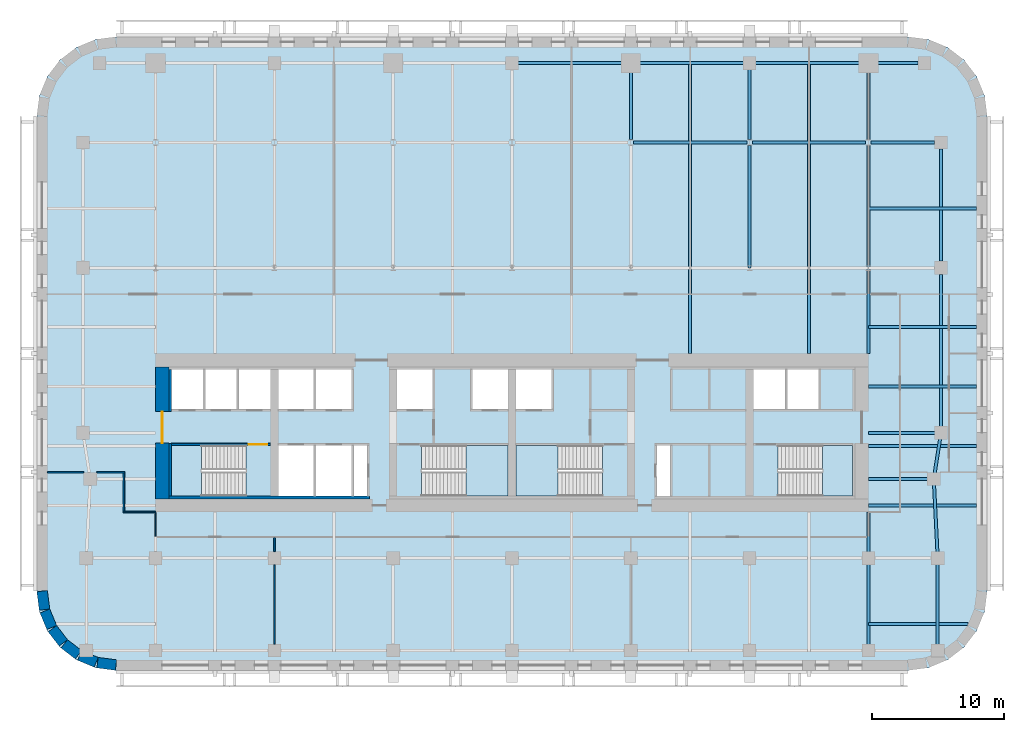
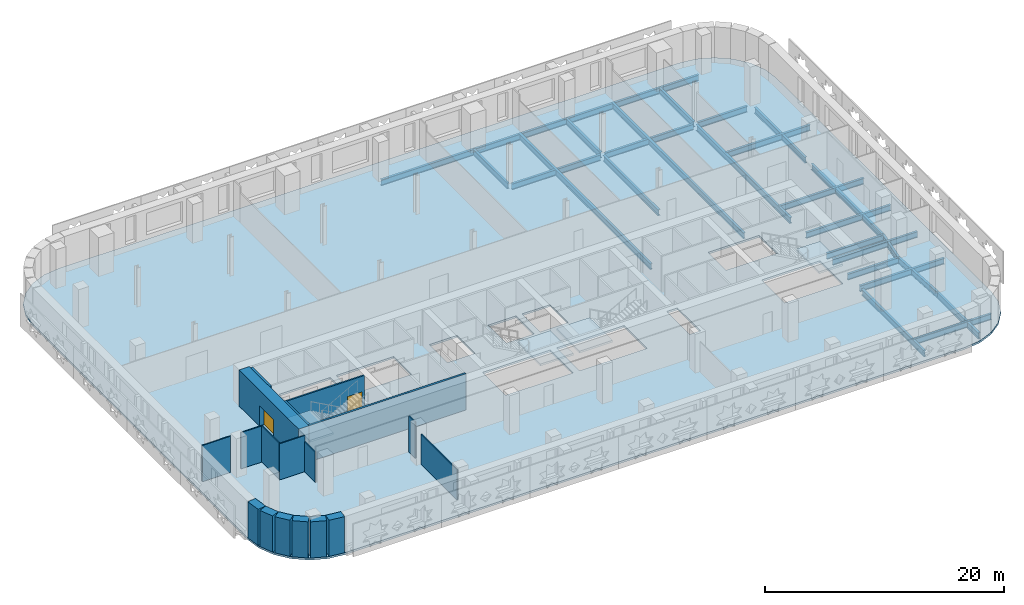
# One storey, part 2 of 10: 26 beams, 18 walls, 5 slabs, 2 doors, 2 openings, 4 elements without a shape of their own.
"""IFC4 building model written with IfcOpenShell, lengths in metres."""

from ifc_helpers import new_model, si_unit, direction, frame, frame_2d, origin, origin_2d, place, context, subcontext, project, spatial, polyline, rectangle, i_section, outline, extrude, material, layer, layer_set, material_profile, profile_set, type_object, element, fill, aggregate, save


model = new_model("IFC4")

# Units and contexts
model_context = context("Model", 3, precision=1e-05, world=origin(), true_north=direction((0.0, 1.0)))
body_context = subcontext(model_context, "Body", "Model", "MODEL_VIEW")
ifc_project = project(units=[si_unit("LENGTHUNIT", "METRE"), si_unit("AREAUNIT", "SQUARE_METRE"), si_unit("VOLUMEUNIT", "CUBIC_METRE"), si_unit("PLANEANGLEUNIT", "RADIAN"), si_unit("MASSUNIT", "GRAM", prefix="KILO")], contexts=[model_context])

# Site, building, storey
site_placement = place(None, origin())
site = spatial("IfcSite", under=ifc_project, at=site_placement, CompositionType="ELEMENT")
building_placement = place(site_placement, origin())
building = spatial("IfcBuilding", under=site, at=building_placement, Name="Zellij Exchange Tower", CompositionType="ELEMENT")
storey_placement = place(building_placement, frame((0.0, 0.0, 152.5)))
storey = spatial("IfcBuildingStorey", under=building, at=storey_placement, Name="L34", CompositionType="ELEMENT", Elevation=152.5)

# Beams
ifc_material_1 = material(Name="Structural steel ASTM A992 Gr 50", Category="steel")
ifc_material_profile_1 = material_profile(ifc_material_1, i_section(OverallWidth=0.227783203125, OverallDepth=0.60205078125, WebThickness=0.010498046875, FlangeThickness=0.014892578125, at=origin_2d()), Name="W24x68")
ifc_profile_set_1 = profile_set([ifc_material_profile_1], Name="Structural steel ASTM A992 Gr 50")
beam_type_1 = type_object("IfcBeamType", Name="STR-BEAM W24x68", PredefinedType="BEAM", material=ifc_profile_set_1)
for number, where, z_axis, x_axis, name in (
    (1, (13.5, -2.0, -0.5009765625), (0.0, 1.0, 0.0), (-1.0, 0.0, 0.0), "B5"),
    (2, (22.5, -2.0, -0.5009765625), (0.0, 1.0, 0.0), (-1.0, 0.0, 0.0), "B5"),
):
    element("IfcBeam", number, at=place(storey_placement, frame(where, z_axis=z_axis, x_axis=x_axis)), inside=storey, type_object=beam_type_1, Name=name, PredefinedType="BEAM", context=body_context, shape_type="SweptSolid", body=[
        extrude(i_section(OverallWidth=0.227783203125, OverallDepth=0.60205078125, WebThickness=0.010498046875, FlangeThickness=0.014892578125, at=origin_2d()), origin(), (0.0, 0.0, 1.0), 22.114501953125),
    ])
beam_1_placement = place(storey_placement, frame((27.0, -22.5, -0.5009765625), z_axis=(1.0, 0.0, 0.0), x_axis=(0.0, 1.0, 0.0)))
element("IfcBeam", 3, at=beam_1_placement, inside=storey, type_object=beam_type_1, Name="B5", PredefinedType="BEAM", context=body_context, shape_type="SweptSolid", body=[
    extrude(i_section(OverallWidth=0.227783203125, OverallDepth=0.60205078125, WebThickness=0.010498046875, FlangeThickness=0.014892578125, at=origin_2d()), origin(), (0.0, 0.0, 1.0), 7.537109375),
])
for number, where, z_axis, x_axis, name in (
    (4, (27.0, -13.5, -0.5009765625), (1.0, 0.0, 0.0), (0.0, 1.0, 0.0), "B5"),
    (5, (27.0, -9.0, -0.5009765625), (1.0, 0.0, 0.0), (0.0, 1.0, 0.0), "B5"),
    (6, (27.0, -4.5, -0.5009765625), (1.0, 0.0, 0.0), (0.0, 1.0, 0.0), "B5"),
    (7, (27.0, 0.0, -0.5009765625), (1.0, 0.0, 0.0), (0.0, 1.0, 0.0), "B5"),
    (8, (27.0, 9.0, -0.5009765625), (1.0, 0.0, 0.0), (0.0, 1.0, 0.0), "B5"),
):
    element("IfcBeam", number, at=place(storey_placement, frame(where, z_axis=z_axis, x_axis=x_axis)), inside=storey, type_object=beam_type_1, Name=name, PredefinedType="BEAM", context=body_context, shape_type="SweptSolid", body=[
        extrude(i_section(OverallWidth=0.227783203125, OverallDepth=0.60205078125, WebThickness=0.010498046875, FlangeThickness=0.014892578125, at=origin_2d()), origin(), (0.0, 0.0, 1.0), 8.199951171875),
    ])
ifc_material_profile_2 = material_profile(ifc_material_1, i_section(OverallWidth=0.22900390625, OverallDepth=0.612060546875, WebThickness=0.011962890625, FlangeThickness=0.01953125, at=origin_2d()), Name="W24x84")
ifc_profile_set_2 = profile_set([ifc_material_profile_2], Name="Structural steel ASTM A992 Gr 50")
beam_type_2 = type_object("IfcBeamType", Name="STR-EDGE GIRDER W24x84", PredefinedType="BEAM", material=ifc_profile_set_2)
beam_2_placement = place(storey_placement, frame((32.25, -24.5, -0.506103515625), z_axis=(0.0, 1.0, 0.0), x_axis=(-1.0, 0.0, 0.0)))
element("IfcBeam", 9, at=beam_2_placement, inside=storey, type_object=beam_type_2, Name="EB6", PredefinedType="BEAM", context=body_context, shape_type="SweptSolid", body=[
    extrude(i_section(OverallWidth=0.22900390625, OverallDepth=0.612060546875, WebThickness=0.011962890625, FlangeThickness=0.01953125, at=origin_2d()), origin(), (0.0, 0.0, 1.0), 7.0),
])
beam_3_placement = place(storey_placement, frame((32.25, -17.5, -0.506103515625), z_axis=(-0.049945724537, 0.998751933465, 0.0), x_axis=(-0.998751933465, -0.049945724537, 0.0)))
element("IfcBeam", 10, at=beam_3_placement, inside=storey, type_object=beam_type_2, Name="EB6", PredefinedType="BEAM", context=body_context, shape_type="SweptSolid", body=[
    extrude(i_section(OverallWidth=0.22900390625, OverallDepth=0.612060546875, WebThickness=0.011962890625, FlangeThickness=0.01953125, at=origin_2d()), origin(), (0.0, 0.0, 1.0), 6.007568359375),
])
beam_4_placement = place(storey_placement, frame((31.949951171875, -11.5, -0.506103515625), z_axis=(0.155251283593, 0.987875011802, 0.0), x_axis=(-0.987875011802, 0.155251283593, 0.0)))
element("IfcBeam", 11, at=beam_4_placement, inside=storey, type_object=beam_type_2, Name="EB6", PredefinedType="BEAM", context=body_context, shape_type="SweptSolid", body=[
    extrude(i_section(OverallWidth=0.22900390625, OverallDepth=0.612060546875, WebThickness=0.011962890625, FlangeThickness=0.01953125, at=origin_2d()), origin(), (0.0, 0.0, 1.0), 3.54296875),
])
beam_5_placement = place(storey_placement, frame((32.5, -8.0, -0.506103515625), z_axis=(0.0, 1.0, 0.0), x_axis=(-1.0, 0.0, 0.0)))
element("IfcBeam", 12, at=beam_5_placement, inside=storey, type_object=beam_type_2, Name="EB6", PredefinedType="BEAM", context=body_context, shape_type="SweptSolid", body=[
    extrude(i_section(OverallWidth=0.22900390625, OverallDepth=0.612060546875, WebThickness=0.011962890625, FlangeThickness=0.01953125, at=origin_2d()), origin(), (0.0, 0.0, 1.0), 12.0),
])
beam_6_placement = place(storey_placement, frame((32.5, 5.0, -0.506103515625), z_axis=(0.0, 1.0, 0.0), x_axis=(-1.0, 0.0, 0.0)))
element("IfcBeam", 13, at=beam_6_placement, inside=storey, type_object=beam_type_2, Name="EB6", PredefinedType="BEAM", context=body_context, shape_type="SweptSolid", body=[
    extrude(i_section(OverallWidth=0.22900390625, OverallDepth=0.612060546875, WebThickness=0.011962890625, FlangeThickness=0.01953125, at=origin_2d()), origin(), (0.0, 0.0, 1.0), 8.5),
])
ifc_material_profile_3 = material_profile(ifc_material_1, i_section(OverallWidth=0.22900390625, OverallDepth=0.612060546875, WebThickness=0.011962890625, FlangeThickness=0.01953125, at=origin_2d()), Name="W24x84")
ifc_profile_set_3 = profile_set([ifc_material_profile_3], Name="Structural steel ASTM A992 Gr 50")
beam_type_3 = type_object("IfcBeamType", Name="STR-GIRDER W24x84", PredefinedType="BEAM", material=ifc_profile_set_3)
beam_7_placement = place(storey_placement, frame((27.0, -11.5, -0.506103515625), z_axis=(1.0, 0.0, 0.0), x_axis=(0.0, 1.0, 0.0)))
element("IfcBeam", 14, at=beam_7_placement, inside=storey, type_object=beam_type_3, Name="G4", PredefinedType="BEAM", context=body_context, shape_type="SweptSolid", body=[
    extrude(i_section(OverallWidth=0.22900390625, OverallDepth=0.612060546875, WebThickness=0.011962890625, FlangeThickness=0.01953125, at=origin_2d()), origin(), (0.0, 0.0, 1.0), 4.949951171875),
])
beam_8_placement = place(storey_placement, frame((27.0, -8.0, -0.506103515625), z_axis=(1.0, 0.0, 0.0), x_axis=(0.0, 1.0, 0.0)))
element("IfcBeam", 15, at=beam_8_placement, inside=storey, type_object=beam_type_3, Name="G4", PredefinedType="BEAM", context=body_context, shape_type="SweptSolid", body=[
    extrude(i_section(OverallWidth=0.22900390625, OverallDepth=0.612060546875, WebThickness=0.011962890625, FlangeThickness=0.01953125, at=origin_2d()), origin(), (0.0, 0.0, 1.0), 5.5),
])
for number, where, z_axis, x_axis, name in (
    (16, (9.209716796875, 14.0, -0.506103515625), (1.0, 0.0, 0.0), (0.0, 1.0, 0.0), "G4"),
    (17, (18.209716796875, 14.0, -0.506103515625), (1.0, 0.0, 0.0), (0.0, 1.0, 0.0), "G4"),
):
    element("IfcBeam", number, at=place(storey_placement, frame(where, z_axis=z_axis, x_axis=x_axis)), inside=storey, type_object=beam_type_3, Name=name, PredefinedType="BEAM", context=body_context, shape_type="SweptSolid", body=[
        extrude(i_section(OverallWidth=0.22900390625, OverallDepth=0.612060546875, WebThickness=0.011962890625, FlangeThickness=0.01953125, at=origin_2d()), origin(), (0.0, 0.0, 1.0), 8.58056640625),
    ])
beam_9_placement = place(storey_placement, frame((27.209716796875, 14.0, -0.506103515625), z_axis=(1.0, 0.0, 0.0), x_axis=(0.0, 1.0, 0.0)))
element("IfcBeam", 18, at=beam_9_placement, inside=storey, type_object=beam_type_3, Name="G4", PredefinedType="BEAM", context=body_context, shape_type="SweptSolid", body=[
    extrude(i_section(OverallWidth=0.22900390625, OverallDepth=0.612060546875, WebThickness=0.011962890625, FlangeThickness=0.01953125, at=origin_2d()), origin(), (0.0, 0.0, 1.0), 4.790283203125),
])
beam_10_placement = place(storey_placement, frame((0.0, 20.0, -0.506103515625), z_axis=(1.0, 0.0, 0.0), x_axis=(0.0, 1.0, 0.0)))
element("IfcBeam", 19, at=beam_10_placement, inside=storey, type_object=beam_type_3, Name="G4", PredefinedType="BEAM", context=body_context, shape_type="SweptSolid", body=[
    extrude(i_section(OverallWidth=0.22900390625, OverallDepth=0.612060546875, WebThickness=0.011962890625, FlangeThickness=0.01953125, at=origin_2d()), origin(), (0.0, 0.0, 1.0), 18.0),
])
beam_11_placement = place(storey_placement, frame((18.0, 20.0, -0.506103515625), z_axis=(1.0, 0.0, 0.0), x_axis=(0.0, 1.0, 0.0)))
element("IfcBeam", 20, at=beam_11_placement, inside=storey, type_object=beam_type_3, Name="G4", PredefinedType="BEAM", context=body_context, shape_type="SweptSolid", body=[
    extrude(i_section(OverallWidth=0.22900390625, OverallDepth=0.612060546875, WebThickness=0.011962890625, FlangeThickness=0.01953125, at=origin_2d()), origin(), (0.0, 0.0, 1.0), 12.75),
])
beam_12_placement = place(storey_placement, frame((9.0, 14.227294921875, -0.506103515625), z_axis=(0.0, 1.0, 0.0), x_axis=(-1.0, 0.0, 0.0)))
element("IfcBeam", 21, at=beam_12_placement, inside=storey, type_object=beam_type_3, Name="G4", PredefinedType="BEAM", context=body_context, shape_type="SweptSolid", body=[
    extrude(i_section(OverallWidth=0.22900390625, OverallDepth=0.612060546875, WebThickness=0.011962890625, FlangeThickness=0.01953125, at=origin_2d()), origin(), (0.0, 0.0, 1.0), 5.772705078125),
])
beam_13_placement = place(storey_placement, frame((18.0, 4.5, -0.506103515625), z_axis=(0.0, 1.0, 0.0), x_axis=(-1.0, 0.0, 0.0)))
element("IfcBeam", 22, at=beam_13_placement, inside=storey, type_object=beam_type_3, Name="G4", PredefinedType="BEAM", context=body_context, shape_type="SweptSolid", body=[
    extrude(i_section(OverallWidth=0.22900390625, OverallDepth=0.612060546875, WebThickness=0.011962890625, FlangeThickness=0.01953125, at=origin_2d()), origin(), (0.0, 0.0, 1.0), 9.272705078125),
])
beam_14_placement = place(storey_placement, frame((18.0, 14.227294921875, -0.506103515625), z_axis=(0.0, 1.0, 0.0), x_axis=(-1.0, 0.0, 0.0)))
element("IfcBeam", 23, at=beam_14_placement, inside=storey, type_object=beam_type_3, Name="G4", PredefinedType="BEAM", context=body_context, shape_type="SweptSolid", body=[
    extrude(i_section(OverallWidth=0.22900390625, OverallDepth=0.612060546875, WebThickness=0.011962890625, FlangeThickness=0.01953125, at=origin_2d()), origin(), (0.0, 0.0, 1.0), 5.772705078125),
])
beam_15_placement = place(storey_placement, frame((27.0, -24.5, -0.506103515625), z_axis=(0.0, 1.0, 0.0), x_axis=(-1.0, 0.0, 0.0)))
element("IfcBeam", 24, at=beam_15_placement, inside=storey, type_object=beam_type_3, Name="G4", PredefinedType="BEAM", context=body_context, shape_type="SweptSolid", body=[
    extrude(i_section(OverallWidth=0.22900390625, OverallDepth=0.612060546875, WebThickness=0.011962890625, FlangeThickness=0.01953125, at=origin_2d()), origin(), (0.0, 0.0, 1.0), 10.5),
])
beam_16_placement = place(storey_placement, frame((27.0, -2.0, -0.506103515625), z_axis=(0.0, 1.0, 0.0), x_axis=(-1.0, 0.0, 0.0)))
element("IfcBeam", 25, at=beam_16_placement, inside=storey, type_object=beam_type_3, Name="G4", PredefinedType="BEAM", context=body_context, shape_type="SweptSolid", body=[
    extrude(i_section(OverallWidth=0.22900390625, OverallDepth=0.612060546875, WebThickness=0.011962890625, FlangeThickness=0.01953125, at=origin_2d()), origin(), (0.0, 0.0, 1.0), 15.772705078125),
])
beam_17_placement = place(storey_placement, frame((27.0, 14.227294921875, -0.506103515625), z_axis=(0.0, 1.0, 0.0), x_axis=(-1.0, 0.0, 0.0)))
element("IfcBeam", 26, at=beam_17_placement, inside=storey, type_object=beam_type_3, Name="G4", PredefinedType="BEAM", context=body_context, shape_type="SweptSolid", body=[
    extrude(i_section(OverallWidth=0.22900390625, OverallDepth=0.612060546875, WebThickness=0.011962890625, FlangeThickness=0.01953125, at=origin_2d()), origin(), (0.0, 0.0, 1.0), 5.772705078125),
])

# Stair, slab
ifc_material_2 = material(Name="Concrete C40/50", Category="concrete")
stair_type = type_object("IfcStairType", Name="CORE-ST exit stair 1850 wide", PredefinedType="HALF_TURN_STAIR", material=ifc_material_2)
stair_1_placement = place(storey_placement, origin())
stair_1 = element("IfcStair", 27, at=stair_1_placement, inside=storey, type_object=stair_type, Name="L34 exit stair ST1", PredefinedType="HALF_TURN_STAIR")
ifc_layer_1 = layer(ifc_material_2, 0.199951171875)
ifc_layer_set_1 = layer_set([ifc_layer_1], Name="Concrete C40/50")
slab_type_1 = type_object("IfcSlabType", Name="CORE-SL stair landing 200", PredefinedType="LANDING", material=ifc_layer_set_1)
slab_1_placement = place(storey_placement, frame((0.0, 0.0, 1.800048828125)))
slab_1 = element("IfcSlab", 28, at=slab_1_placement, type_object=slab_type_1, Name="ST1 landing 1", PredefinedType="LANDING", context=body_context, shape_type="SweptSolid", body=[
    extrude(outline(polyline([(-23.510009765625, -8.949951171875), (-25.800048828125, -8.949951171875), (-25.800048828125, -12.800048828125), (-23.510009765625, -12.800048828125), (-23.510009765625, -8.949951171875)])), origin(), (0.0, 0.0, 1.0), 0.199951171875),
])
aggregate(stair_1, [slab_1])

stair_2_placement = place(storey_placement, origin())
stair_2 = element("IfcStair", 29, at=stair_2_placement, inside=storey, type_object=stair_type, Name="L34 exit stair ST2", PredefinedType="HALF_TURN_STAIR")
slab_2_placement = place(storey_placement, frame((0.0, 0.0, 1.800048828125)))
slab_2 = element("IfcSlab", 30, at=slab_2_placement, type_object=slab_type_1, Name="ST2 landing 1", PredefinedType="LANDING", context=body_context, shape_type="SweptSolid", body=[
    extrude(outline(polyline([(-3.489990234375, -12.800048828125), (-0.300048828125, -12.800048828125), (-0.300048828125, -8.949951171875), (-3.489990234375, -8.949951171875), (-3.489990234375, -12.800048828125)])), origin(), (0.0, 0.0, 1.0), 0.199951171875),
])
aggregate(stair_2, [slab_2])

stair_3_placement = place(storey_placement, origin())
stair_3 = element("IfcStair", 31, at=stair_3_placement, inside=storey, type_object=stair_type, Name="L34 exit stair ST3", PredefinedType="HALF_TURN_STAIR")
slab_3_placement = place(storey_placement, frame((0.0, 0.0, 1.800048828125)))
slab_3 = element("IfcSlab", 32, at=slab_3_placement, type_object=slab_type_1, Name="ST3 landing 1", PredefinedType="LANDING", context=body_context, shape_type="SweptSolid", body=[
    extrude(outline(polyline([(3.489990234375, -8.949951171875), (0.300048828125, -8.949951171875), (0.300048828125, -12.800048828125), (3.489990234375, -12.800048828125), (3.489990234375, -8.949951171875)])), origin(), (0.0, 0.0, 1.0), 0.199951171875),
])
aggregate(stair_3, [slab_3])

stair_4_placement = place(storey_placement, origin())
stair_4 = element("IfcStair", 33, at=stair_4_placement, inside=storey, type_object=stair_type, Name="L34 exit stair ST4", PredefinedType="HALF_TURN_STAIR")
slab_4_placement = place(storey_placement, frame((0.0, 0.0, 1.800048828125)))
slab_4 = element("IfcSlab", 34, at=slab_4_placement, type_object=slab_type_1, Name="ST4 landing 1", PredefinedType="LANDING", context=body_context, shape_type="SweptSolid", body=[
    extrude(outline(polyline([(23.510009765625, -12.800048828125), (25.800048828125, -12.800048828125), (25.800048828125, -8.949951171875), (23.510009765625, -8.949951171875), (23.510009765625, -12.800048828125)])), origin(), (0.0, 0.0, 1.0), 0.199951171875),
])
aggregate(stair_4, [slab_4])

# Slab
ifc_layer_2 = layer(ifc_material_2, 0.199951171875)
ifc_layer_set_2 = layer_set([ifc_layer_2], Name="Concrete C40/50")
slab_type_2 = type_object("IfcSlabType", Name="STR-FLOOR SLAB 200 C40/50", PredefinedType="FLOOR", material=ifc_layer_set_2)
slab_5_placement = place(storey_placement, frame((0.0, 0.0, -0.2001953125)))
element("IfcSlab", 35, at=slab_5_placement, inside=storey, type_object=slab_type_2, Name="Floor L34", PredefinedType="FLOOR", context=body_context, shape_type="SweptSolid", body=[
    extrude(outline(polyline([(-30.0, -26.0), (-31.552978515625, -25.795654296875), (-33.0, -25.1962890625), (-34.24267578125, -24.24267578125), (-35.1962890625, -23.0), (-35.795654296875, -21.552978515625), (-36.0, -20.0), (-36.0, 16.0), (-35.795654296875, 17.552978515625), (-35.1962890625, 19.0), (-34.24267578125, 20.24267578125), (-33.0, 21.1962890625), (-31.552978515625, 21.795654296875), (-30.0, 22.0), (30.0, 22.0), (31.552978515625, 21.795654296875), (33.0, 21.1962890625), (34.24267578125, 20.24267578125), (35.1962890625, 19.0), (35.795654296875, 17.552978515625), (36.0, 16.0), (36.0, -20.0), (35.795654296875, -21.552978515625), (35.1962890625, -23.0), (34.24267578125, -24.24267578125), (33.0, -25.1962890625), (31.552978515625, -25.795654296875), (30.0, -26.0), (-30.0, -26.0)]), holes=[polyline([(-25.800048828125, -8.949951171875), (-25.800048828125, -12.800048828125), (-20.153076171875, -12.800048828125), (-20.153076171875, -8.949951171875), (-25.800048828125, -8.949951171875)]), polyline([(-12.14990234375, -8.949951171875), (-17.699951171875, -8.949951171875), (-17.699951171875, -12.800048828125), (-12.14990234375, -12.800048828125), (-12.14990234375, -8.949951171875)]), polyline([(-10.949951171875, -8.949951171875), (-12.0, -8.949951171875), (-12.0, -12.800048828125), (-10.949951171875, -12.800048828125), (-10.949951171875, -8.949951171875)]), polyline([(-23.39990234375, -3.199951171875), (-25.800048828125, -3.199951171875), (-25.800048828125, -6.22509765625), (-23.39990234375, -6.22509765625), (-23.39990234375, -3.199951171875)]), polyline([(-18.300048828125, -3.199951171875), (-23.25, -3.199951171875), (-23.25, -6.22509765625), (-18.300048828125, -6.22509765625), (-18.300048828125, -3.199951171875)]), polyline([(-12.14990234375, -3.199951171875), (-17.699951171875, -3.199951171875), (-17.699951171875, -6.22509765625), (-12.14990234375, -6.22509765625), (-12.14990234375, -3.199951171875)]), polyline([(-6.0, -3.199951171875), (-8.699951171875, -3.199951171875), (-8.699951171875, -6.22509765625), (-6.0, -6.22509765625), (-6.0, -3.199951171875)]), polyline([(-6.846923828125, -8.949951171875), (-6.846923828125, -12.800048828125), (-0.300048828125, -12.800048828125), (-0.300048828125, -8.949951171875), (-6.846923828125, -8.949951171875)]), polyline([(6.846923828125, -8.949951171875), (0.300048828125, -8.949951171875), (0.300048828125, -12.800048828125), (6.846923828125, -12.800048828125), (6.846923828125, -8.949951171875)]), polyline([(12.0, -8.949951171875), (10.949951171875, -8.949951171875), (10.949951171875, -12.800048828125), (12.0, -12.800048828125), (12.0, -8.949951171875)]), polyline([(25.800048828125, -8.949951171875), (20.153076171875, -8.949951171875), (20.153076171875, -12.800048828125), (25.800048828125, -12.800048828125), (25.800048828125, -8.949951171875)]), polyline([(-0.300048828125, -3.199951171875), (-3.0, -3.199951171875), (-3.0, -6.22509765625), (-0.300048828125, -6.22509765625), (-0.300048828125, -3.199951171875)]), polyline([(3.0, -3.199951171875), (0.300048828125, -3.199951171875), (0.300048828125, -6.22509765625), (3.0, -6.22509765625), (3.0, -3.199951171875)]), polyline([(23.25, -3.199951171875), (18.300048828125, -3.199951171875), (18.300048828125, -6.22509765625), (23.25, -6.22509765625), (23.25, -3.199951171875)])]), origin(), (0.0, 0.0, 1.0), 0.2001953125),
])

# Walls
ifc_material_3 = material(Name="Concrete C30/37", Category="concrete")
ifc_layer_3 = layer(ifc_material_3, 0.199951171875)
ifc_layer_set_3 = layer_set([ifc_layer_3], Name="Concrete C30/37")
wall_type_1 = type_object("IfcWallType", Name="CORE-LW 200 C30/37", PredefinedType="SHEAR", material=ifc_layer_set_3)
wall_1_placement = place(storey_placement, frame((-26.0, -12.89990234375, 0.0), z_axis=(0.0, 0.0, 1.0), x_axis=(1.0, 0.0, 0.0)))
element("IfcWall", 36, at=wall_1_placement, inside=storey, type_object=wall_type_1, Name="Core wall lining rear.0 L34", PredefinedType="SHEAR", context=body_context, shape_type="SweptSolid", body=[
    extrude(rectangle(XDim=15.199951171875, YDim=0.199951171875, at=frame_2d((7.60009765625, 0.0))), origin(), (0.0, 0.0, 1.0), 3.699951171875),
])
wall_2_placement = place(storey_placement, frame((-25.89990234375, -12.800048828125, 0.0), z_axis=(0.0, 0.0, 1.0), x_axis=(0.0, 1.0, 0.0)))
element("IfcWall", 37, at=wall_2_placement, inside=storey, type_object=wall_type_1, Name="Core wall lining end w.0 L34", PredefinedType="SHEAR", context=body_context, shape_type="SweptSolid", body=[
    extrude(rectangle(XDim=4.0, YDim=0.199951171875, at=frame_2d((2.0, 0.0))), origin(), (0.0, 0.0, 1.0), 3.699951171875),
])
wall_3_placement = place(storey_placement, frame((-25.89990234375, -6.375, 0.0), z_axis=(0.0, 0.0, 1.0), x_axis=(0.0, 1.0, 0.0)))
element("IfcWall", 38, at=wall_3_placement, inside=storey, type_object=wall_type_1, Name="Core wall lining end w.1 L34", PredefinedType="SHEAR", context=body_context, shape_type="SweptSolid", body=[
    extrude(rectangle(XDim=3.175048828125, YDim=0.199951171875, at=frame_2d((1.58740234375, 0.0))), origin(), (0.0, 0.0, 1.0), 3.699951171875),
])

# Wall, opening, door
ifc_material_4 = material(Name="Concrete C70/85", Category="concrete")
ifc_layer_4 = layer(ifc_material_4, 1.0)
ifc_layer_set_4 = layer_set([ifc_layer_4], Name="Concrete C70/85")
wall_type_2 = type_object("IfcWallType", Name="CORE-SW 1000 C70/85", PredefinedType="SHEAR", material=ifc_layer_set_4)
wall_4_placement = place(storey_placement, frame((-26.5, -13.0, 0.0), z_axis=(0.0, 0.0, 1.0), x_axis=(0.0, 1.0, 0.0)))
wall_4 = element("IfcWall", 39, at=wall_4_placement, inside=storey, type_object=wall_type_2, Name="Core shear wall end w L34", PredefinedType="SHEAR", context=body_context, shape_type="SweptSolid", body=[
    extrude(rectangle(XDim=10.0, YDim=1.0, at=frame_2d((5.0, 0.0))), origin(), (0.0, 0.0, 1.0), 3.699951171875),
])
opening_1_placement = place(wall_4_placement, frame((4.2119140625, 0.0, 0.0)))
opening_1 = element("IfcOpeningElement", 40, at=opening_1_placement, cuts=wall_4, Name="Opening CA-18.01", PredefinedType="OPENING", context=body_context, shape_type="SweptSolid", body=[
    extrude(rectangle(XDim=2.39990234375, YDim=2.10009765625, at=frame_2d((1.199951171875, 1.050048828125))), frame((0.0, 0.511962890625, 0.0), z_axis=(0.0, -1.0, 0.0), x_axis=(1.0, 0.0, 0.0)), (0.0, 0.0, 1.0), 1.02392578125),
])
ifc_material_5 = material(Name="Hollow metal fire door")
door_type_1 = type_object("IfcDoorType", Name="CORE-D CE Core entrance door 2400x2100 20 MIN", OperationType="NOTDEFINED", PredefinedType="DOOR", material=ifc_material_5)
door_1_placement = place(opening_1_placement, origin())
door_1 = element("IfcDoor", 41, at=door_1_placement, inside=storey, type_object=door_type_1, Name="Core entrance door CA-18.01", OperationType="DOUBLE_DOOR_SINGLE_SWING", OverallHeight=2.10009765625, OverallWidth=2.39990234375, PredefinedType="DOOR", context=body_context, shape_type="SweptSolid", body=[
    extrude(rectangle(XDim=2.39990234375, YDim=2.10009765625, at=frame_2d((1.199951171875, 1.050048828125))), frame((0.0, 0.02490234375, 0.0), z_axis=(0.0, -1.0, 0.0), x_axis=(1.0, 0.0, 0.0)), (0.0, 0.0, 1.0), 0.050048828125),
])
fill(opening_1, door_1)

ifc_layer_5 = layer(ifc_material_4, 0.14990234375)
ifc_layer_set_5 = layer_set([ifc_layer_5], Name="Concrete C70/85")
wall_type_3 = type_object("IfcWallType", Name="CORE-SWS 150 C70/85", PredefinedType="SHEAR", material=ifc_layer_set_5)
wall_5_placement = place(storey_placement, frame((-25.800048828125, -8.875, 0.0), z_axis=(0.0, 0.0, 1.0), x_axis=(1.0, 0.0, 0.0)))
wall_5 = element("IfcWall", 42, at=wall_5_placement, inside=storey, type_object=wall_type_3, Name="Stair enclosure wall L34", PredefinedType="SHEAR", context=body_context, shape_type="SweptSolid", body=[
    extrude(rectangle(XDim=7.5, YDim=0.14990234375, at=frame_2d((3.75, 0.0))), origin(), (0.0, 0.0, 1.0), 3.699951171875),
])
opening_2_placement = place(wall_5_placement, frame((5.875, 0.0, 0.0)))
opening_2 = element("IfcOpeningElement", 43, at=opening_2_placement, cuts=wall_5, Name="Opening CA-18.05", PredefinedType="OPENING", context=body_context, shape_type="SweptSolid", body=[
    extrude(rectangle(XDim=1.39990234375, YDim=2.10009765625, at=frame_2d((0.699951171875, 1.050048828125))), frame((0.0, 0.0869140625, 0.0), z_axis=(0.0, -1.0, 0.0), x_axis=(1.0, 0.0, 0.0)), (0.0, 0.0, 1.0), 0.173828125),
])
door_type_2 = type_object("IfcDoorType", Name="CORE-D SD Stair door 1400x2100 1.5 HR", OperationType="NOTDEFINED", PredefinedType="DOOR", material=ifc_material_5)
door_2_placement = place(opening_2_placement, origin())
door_2 = element("IfcDoor", 44, at=door_2_placement, inside=storey, type_object=door_type_2, Name="Stair door CA-18.05", OperationType="DOUBLE_DOOR_SINGLE_SWING", OverallHeight=2.10009765625, OverallWidth=1.39990234375, PredefinedType="DOOR", context=body_context, shape_type="SweptSolid", body=[
    extrude(rectangle(XDim=1.39990234375, YDim=2.10009765625, at=frame_2d((0.699951171875, 1.050048828125))), frame((0.0, 0.02490234375, 0.0), z_axis=(0.0, -1.0, 0.0), x_axis=(1.0, 0.0, 0.0)), (0.0, 0.0, 1.0), 0.050048828125),
])
fill(opening_2, door_2)

# Walls
ifc_material_6 = material(Name="Precast concrete C40/50", Category="concrete")
ifc_layer_6 = layer(ifc_material_6, 0.800048828125)
ifc_layer_set_6 = layer_set([ifc_layer_6], Name="Precast concrete C40/50")
wall_type_4 = type_object("IfcWallType", Name="ENV-EW1 Precast stone-piered wall 800", PredefinedType="SOLIDWALL", material=ifc_layer_set_6)
wall_6_placement = place(storey_placement, frame((-35.5966796875, -19.999755859375, 0.0), z_axis=(0.0, 0.0, 1.0), x_axis=(0.130517283865, -0.99144603414, 0.0)))
element("IfcWall", 45, at=wall_6_placement, inside=storey, type_object=wall_type_4, Name="fac.L34.22", PredefinedType="SOLIDWALL", context=body_context, shape_type="SweptSolid", body=[
    extrude(rectangle(XDim=1.408447265625, YDim=0.800048828125, at=frame_2d((0.7041015625, 0.0))), origin(), (0.0, 0.0, 1.0), 3.699951171875),
])
wall_7_placement = place(storey_placement, frame((-35.3857421875, -21.497314453125, 0.0), z_axis=(0.0, 0.0, 1.0), x_axis=(0.38276009378, -0.923847774587, 0.0)))
element("IfcWall", 46, at=wall_7_placement, inside=storey, type_object=wall_type_4, Name="fac.L34.23", PredefinedType="SOLIDWALL", context=body_context, shape_type="SweptSolid", body=[
    extrude(rectangle(XDim=1.35546875, YDim=0.800048828125, at=frame_2d((0.677734375, 0.0))), origin(), (0.0, 0.0, 1.0), 3.699951171875),
])
for number, where, z_axis, x_axis, name in (
    (47, (-34.814697265625, -22.840087890625, 0.0), (0.0, 0.0, 1.0), (0.608866226366, -0.793272915452, 0.0), "fac.L34.24"),
    (48, (-33.91552734375, -23.9892578125, 0.0), (0.0, 0.0, 1.0), (0.793272915452, -0.608866226366, 0.0), "fac.L34.25"),
):
    element("IfcWall", number, at=place(storey_placement, frame(where, z_axis=z_axis, x_axis=x_axis)), inside=storey, type_object=wall_type_4, Name=name, PredefinedType="SOLIDWALL", context=body_context, shape_type="SweptSolid", body=[
        extrude(rectangle(XDim=1.355712890625, YDim=0.800048828125, at=frame_2d((0.677734375, 0.0))), origin(), (0.0, 0.0, 1.0), 3.699951171875),
    ])
wall_8_placement = place(storey_placement, frame((-32.74951171875, -24.866943359375, 0.0), z_axis=(0.0, 0.0, 1.0), x_axis=(0.923847774587, -0.38276009378, 0.0)))
element("IfcWall", 49, at=wall_8_placement, inside=storey, type_object=wall_type_4, Name="fac.L34.26", PredefinedType="SOLIDWALL", context=body_context, shape_type="SweptSolid", body=[
    extrude(rectangle(XDim=1.35546875, YDim=0.800048828125, at=frame_2d((0.677734375, 0.0))), origin(), (0.0, 0.0, 1.0), 3.699951171875),
])
wall_9_placement = place(storey_placement, frame((-31.396240234375, -25.412841796875, 0.0), z_axis=(0.0, 0.0, 1.0), x_axis=(0.99144603414, -0.130517283865, 0.0)))
element("IfcWall", 50, at=wall_9_placement, inside=storey, type_object=wall_type_4, Name="fac.L34.27", PredefinedType="SOLIDWALL", context=body_context, shape_type="SweptSolid", body=[
    extrude(rectangle(XDim=1.408447265625, YDim=0.800048828125, at=frame_2d((0.7041015625, 0.0))), origin(), (0.0, 0.0, 1.0), 3.699951171875),
])
ifc_material_7 = material(Name="Gypsum board partition on steel studs", Category="steel")
ifc_layer_7 = layer(ifc_material_7, 0.10009765625)
ifc_layer_set_7 = layer_set([ifc_layer_7], Name="Gypsum board partition on steel studs")
wall_type_5 = type_object("IfcWallType", Name="FIT-PARTITION-100", PredefinedType="PARTITIONING", material=ifc_layer_set_7)
wall_10_placement = place(storey_placement, frame((-18.0, -24.0, 0.0), z_axis=(0.0, 0.0, 1.0), x_axis=(0.0, 1.0, 0.0)))
element("IfcWall", 51, at=wall_10_placement, inside=storey, type_object=wall_type_5, Name="FIT-PARTITION-100 001", PredefinedType="PARTITIONING", context=body_context, shape_type="SweptSolid", body=[
    extrude(rectangle(XDim=6.0, YDim=0.10009765625, at=frame_2d((3.0, 0.0))), origin(), (0.0, 0.0, 1.0), 3.087890625),
])
wall_11_placement = place(storey_placement, frame((-18.0, -17.0, 0.0), z_axis=(0.0, 0.0, 1.0), x_axis=(0.0, 1.0, 0.0)))
element("IfcWall", 52, at=wall_11_placement, inside=storey, type_object=wall_type_5, Name="FIT-PARTITION-100 002", PredefinedType="PARTITIONING", context=body_context, shape_type="SweptSolid", body=[
    extrude(rectangle(XDim=1.050048828125, YDim=0.10009765625, at=frame_2d((0.52490234375, 0.0))), origin(), (0.0, 0.0, 1.0), 3.699951171875),
])
wall_12_placement = place(storey_placement, frame((-27.0, -15.85009765625, 0.0), z_axis=(0.0, 0.0, 1.0), x_axis=(0.0, 1.0, 0.0)))
element("IfcWall", 53, at=wall_12_placement, inside=storey, type_object=wall_type_5, Name="FIT-PARTITION-100 006", PredefinedType="PARTITIONING", context=body_context, shape_type="SweptSolid", body=[
    extrude(rectangle(XDim=1.800048828125, YDim=0.10009765625, at=frame_2d((0.89990234375, 0.0))), origin(), (0.0, 0.0, 1.0), 3.087890625),
])
wall_13_placement = place(storey_placement, frame((-29.449951171875, -14.0, 0.0), z_axis=(0.0, 0.0, 1.0), x_axis=(1.0, 0.0, 0.0)))
element("IfcWall", 54, at=wall_13_placement, inside=storey, type_object=wall_type_5, Name="FIT-PARTITION-100 008", PredefinedType="PARTITIONING", context=body_context, shape_type="SweptSolid", body=[
    extrude(rectangle(XDim=2.449951171875, YDim=0.10009765625, at=frame_2d((1.22509765625, 0.0))), origin(), (0.0, 0.0, 1.0), 3.699951171875),
])
wall_14_placement = place(storey_placement, frame((-29.39990234375, -13.949951171875, 0.0), z_axis=(0.0, 0.0, 1.0), x_axis=(0.0, 1.0, 0.0)))
element("IfcWall", 55, at=wall_14_placement, inside=storey, type_object=wall_type_5, Name="FIT-PARTITION-100 009", PredefinedType="PARTITIONING", context=body_context, shape_type="SweptSolid", body=[
    extrude(rectangle(XDim=2.909912109375, YDim=0.10009765625, at=frame_2d((1.455078125, 0.0))), origin(), (0.0, 0.0, 1.0), 3.699951171875),
])
wall_15_placement = place(storey_placement, frame((-35.199951171875, -10.989990234375, 0.0), z_axis=(0.0, 0.0, 1.0), x_axis=(1.0, 0.0, 0.0)))
element("IfcWall", 56, at=wall_15_placement, inside=storey, type_object=wall_type_5, Name="FIT-PARTITION-100 012", PredefinedType="PARTITIONING", context=body_context, shape_type="SweptSolid", body=[
    extrude(rectangle(XDim=2.75, YDim=0.10009765625, at=frame_2d((1.375, 0.0))), origin(), (0.0, 0.0, 1.0), 3.699951171875),
])
wall_16_placement = place(storey_placement, frame((-31.449951171875, -10.989990234375, 0.0), z_axis=(0.0, 0.0, 1.0), x_axis=(1.0, 0.0, 0.0)))
element("IfcWall", 57, at=wall_16_placement, inside=storey, type_object=wall_type_5, Name="FIT-PARTITION-100 013", PredefinedType="PARTITIONING", context=body_context, shape_type="SweptSolid", body=[
    extrude(rectangle(XDim=2.099853515625, YDim=0.10009765625, at=frame_2d((1.0498046875, 0.0))), origin(), (0.0, 0.0, 1.0), 3.699951171875),
])

save(model, "model.ifc")
